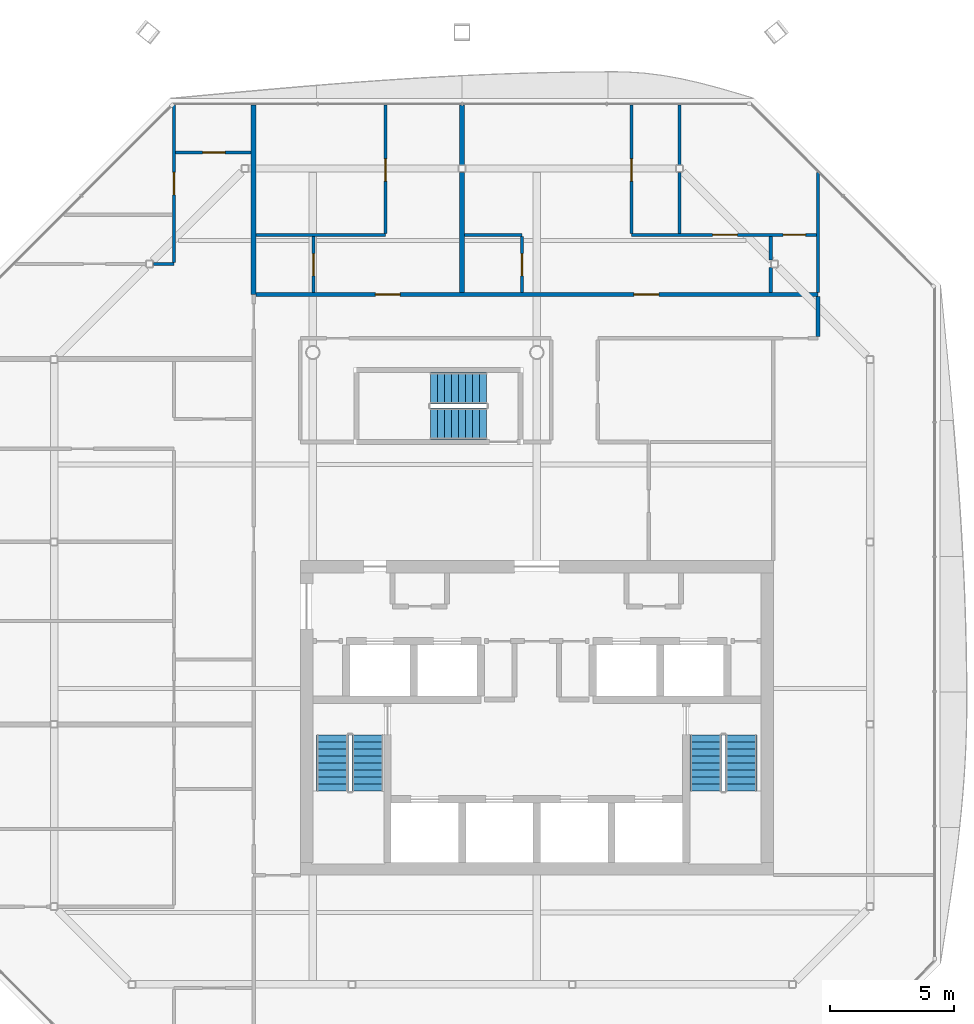
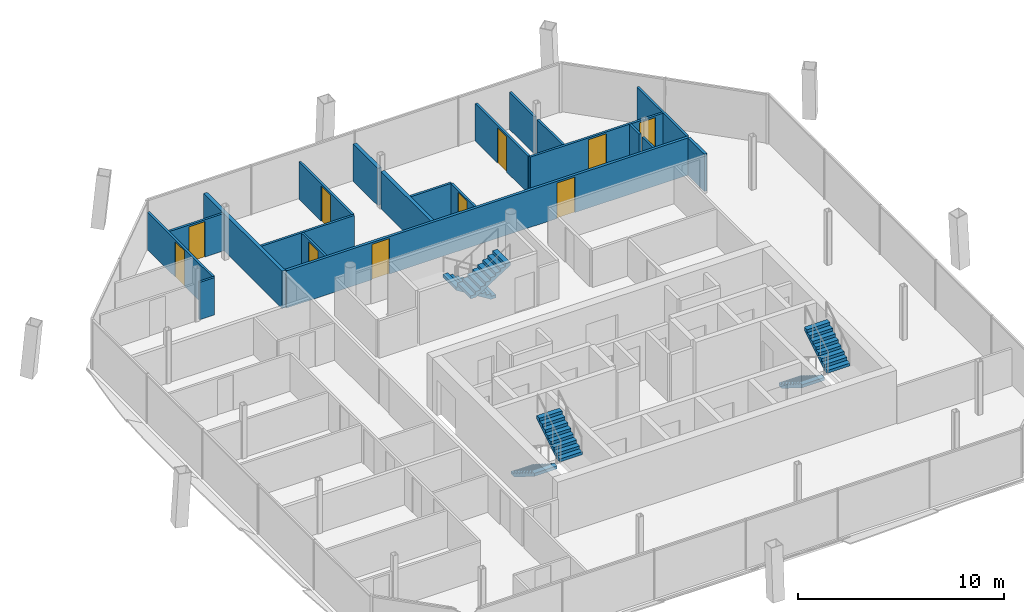
# One storey, part 14 of 18: 20 walls, 10 doors, 6 stair flights, 10 openings, 3 elements without a shape of their own.
"""IFC4 building model written with IfcOpenShell, lengths in metres."""

from ifc_helpers import new_model, si_unit, direction, frame, frame_2d, origin, place, context, subcontext, project, spatial, polyline, rectangle, outline, extrude, material, layer, layer_set, type_object, element, fill, aggregate, save


model = new_model("IFC4")

# Units and contexts
model_context = context("Model", 3, precision=1e-05, world=origin(), true_north=direction((0.0, 1.0)))
body_context = subcontext(model_context, "Body", "Model", "MODEL_VIEW")
ifc_project = project(units=[si_unit("LENGTHUNIT", "METRE"), si_unit("AREAUNIT", "SQUARE_METRE"), si_unit("VOLUMEUNIT", "CUBIC_METRE"), si_unit("PLANEANGLEUNIT", "RADIAN"), si_unit("MASSUNIT", "GRAM", prefix="KILO")], contexts=[model_context])

# Site, building, storey
site_placement = place(None, origin())
site = spatial("IfcSite", under=ifc_project, at=site_placement, CompositionType="ELEMENT")
building_placement = place(site_placement, origin())
building = spatial("IfcBuilding", under=site, at=building_placement, Name="Tskaro Facet Tower", CompositionType="ELEMENT")
storey_placement = place(building_placement, frame((0.0, 0.0, 220.35009765625)))
storey = spatial("IfcBuildingStorey", under=building, at=storey_placement, Name="L56", CompositionType="ELEMENT", Elevation=220.35009765625)

# Walls
ifc_material_1 = material(Name="Gypsum board on steel studs", Category="steel")
ifc_layer_1 = layer(ifc_material_1, 0.125, Name="Gypsum board on steel studs")
ifc_layer_set_1 = layer_set([ifc_layer_1], Name="Gypsum board on steel studs")
wall_type_1 = type_object("IfcWallType", Name="PART", PredefinedType="PARTITIONING", material=ifc_layer_set_1)
wall_1_placement = place(storey_placement, frame((-15.407958984375, 12.56005859375, 0.0), z_axis=(0.0, 0.0, 1.0), x_axis=(1.0, 0.0, 0.0)))
element("IfcWall", 1, at=wall_1_placement, inside=storey, type_object=wall_type_1, Name="Partition W040", PredefinedType="PARTITIONING", context=body_context, shape_type="SweptSolid", body=[
    extrude(rectangle(XDim=0.8330078125, YDim=0.125, at=frame_2d((0.41650390625, 0.0))), origin(), (0.0, 0.0, 1.0), 2.2099609375),
])
wall_2_placement = place(storey_placement, frame((-11.27490234375, 13.72509765625, 0.0), z_axis=(0.0, 0.0, 1.0), x_axis=(1.0, 0.0, 0.0)))
element("IfcWall", 2, at=wall_2_placement, inside=storey, type_object=wall_type_1, Name="Partition W041", PredefinedType="PARTITIONING", context=body_context, shape_type="SweptSolid", body=[
    extrude(rectangle(XDim=5.199951171875, YDim=0.125, at=frame_2d((2.60009765625, 0.0))), origin(), (0.0, 0.0, 1.0), 2.2099609375),
])
wall_3_placement = place(storey_placement, frame((-2.89990234375, 13.72509765625, 0.0), z_axis=(0.0, 0.0, 1.0), x_axis=(1.0, 0.0, 0.0)))
element("IfcWall", 3, at=wall_3_placement, inside=storey, type_object=wall_type_1, Name="Partition W042", PredefinedType="PARTITIONING", context=body_context, shape_type="SweptSolid", body=[
    extrude(rectangle(XDim=2.2998046875, YDim=0.125, at=frame_2d((1.14990234375, 0.0))), origin(), (0.0, 0.0, 1.0), 2.2099609375),
])

# Wall, openings, doors
wall_4_placement = place(storey_placement, frame((3.800048828125, 13.72509765625, 0.0), z_axis=(0.0, 0.0, 1.0), x_axis=(1.0, 0.0, 0.0)))
wall_4 = element("IfcWall", 4, at=wall_4_placement, inside=storey, type_object=wall_type_1, Name="Partition W043", PredefinedType="PARTITIONING", context=body_context, shape_type="SweptSolid", body=[
    extrude(rectangle(XDim=7.4375, YDim=0.125, at=frame_2d((3.71875, 0.0))), origin(), (0.0, 0.0, 1.0), 2.2099609375),
])
opening_1_placement = place(wall_4_placement, frame((3.262451171875, 0.0, 0.0)))
opening_1 = element("IfcOpeningElement", 5, at=opening_1_placement, cuts=wall_4, Name="Opening T16-D32", PredefinedType="OPENING", context=body_context, shape_type="SweptSolid", body=[
    extrude(rectangle(XDim=1.0, YDim=2.10009765625, at=frame_2d((0.5, 1.050048828125))), frame((0.0, 0.072509765625, 0.0), z_axis=(0.0, -1.0, 0.0), x_axis=(1.0, 0.0, 0.0)), (0.0, 0.0, 1.0), 0.14501953125),
])
opening_2_placement = place(wall_4_placement, frame((6.10009765625, 0.0, 0.0)))
opening_2 = element("IfcOpeningElement", 6, at=opening_2_placement, cuts=wall_4, Name="Opening T16-D33", PredefinedType="OPENING", context=body_context, shape_type="SweptSolid", body=[
    extrude(rectangle(XDim=0.89990234375, YDim=2.10009765625, at=frame_2d((0.449951171875, 1.050048828125))), frame((0.0, 0.072509765625, 0.0), z_axis=(0.0, -1.0, 0.0), x_axis=(1.0, 0.0, 0.0)), (0.0, 0.0, 1.0), 0.14501953125),
])
ifc_material_2 = material(Name="Timber", Category="wood")
door_type_1 = type_object("IfcDoorType", Name="D-ROOM", OperationType="NOTDEFINED", PredefinedType="DOOR", material=ifc_material_2)
door_1_placement = place(opening_2_placement, origin())
door_1 = element("IfcDoor", 7, at=door_1_placement, inside=storey, type_object=door_type_1, Name="Door T16-D33", OperationType="SINGLE_SWING_RIGHT", OverallHeight=2.10009765625, OverallWidth=0.89990234375, PredefinedType="DOOR", context=body_context, shape_type="SweptSolid", body=[
    extrude(rectangle(XDim=0.89990234375, YDim=2.10009765625, at=frame_2d((0.449951171875, 1.050048828125))), frame((0.0, 0.02490234375, 0.0), z_axis=(0.0, -1.0, 0.0), x_axis=(1.0, 0.0, 0.0)), (0.0, 0.0, 1.0), 0.050048828125),
])
fill(opening_2, door_1)
door_type_2 = type_object("IfcDoorType", Name="D-ROOM-WIDE", OperationType="NOTDEFINED", PredefinedType="DOOR", material=ifc_material_2)
door_2_placement = place(opening_1_placement, origin())
door_2 = element("IfcDoor", 8, at=door_2_placement, inside=storey, type_object=door_type_2, Name="Door T16-D32", OperationType="SINGLE_SWING_LEFT", OverallHeight=2.10009765625, OverallWidth=1.0, PredefinedType="DOOR", context=body_context, shape_type="SweptSolid", body=[
    extrude(rectangle(XDim=1.0, YDim=2.10009765625, at=frame_2d((0.5, 1.050048828125))), frame((0.0, 0.02490234375, 0.0), z_axis=(0.0, -1.0, 0.0), x_axis=(1.0, 0.0, 0.0)), (0.0, 0.0, 1.0), 0.050048828125),
])
fill(opening_1, door_2)

# Wall, opening, door
wall_5_placement = place(storey_placement, frame((-14.512451171875, 17.034912109375, 0.0), z_axis=(0.0, 0.0, 1.0), x_axis=(1.0, 0.0, 0.0)))
wall_5 = element("IfcWall", 9, at=wall_5_placement, inside=storey, type_object=wall_type_1, Name="Partition W045", PredefinedType="PARTITIONING", context=body_context, shape_type="SweptSolid", body=[
    extrude(rectangle(XDim=3.037353515625, YDim=0.125, at=frame_2d((1.5185546875, 0.0))), origin(), (0.0, 0.0, 1.0), 2.2099609375),
])
opening_3_placement = place(wall_5_placement, frame((1.08740234375, 0.0, 0.0)))
opening_3 = element("IfcOpeningElement", 10, at=opening_3_placement, cuts=wall_5, Name="Opening T16-D37", PredefinedType="OPENING", context=body_context, shape_type="SweptSolid", body=[
    extrude(rectangle(XDim=0.89990234375, YDim=2.10009765625, at=frame_2d((0.449951171875, 1.050048828125))), frame((0.0, 0.072509765625, 0.0), z_axis=(0.0, -1.0, 0.0), x_axis=(1.0, 0.0, 0.0)), (0.0, 0.0, 1.0), 0.14501953125),
])
door_3_placement = place(opening_3_placement, origin())
door_3 = element("IfcDoor", 11, at=door_3_placement, inside=storey, type_object=door_type_1, Name="Door T16-D37", OperationType="SINGLE_SWING_LEFT", OverallHeight=2.10009765625, OverallWidth=0.89990234375, PredefinedType="DOOR", context=body_context, shape_type="SweptSolid", body=[
    extrude(rectangle(XDim=0.89990234375, YDim=2.10009765625, at=frame_2d((0.449951171875, 1.050048828125))), frame((0.0, 0.02490234375, 0.0), z_axis=(0.0, -1.0, 0.0), x_axis=(1.0, 0.0, 0.0)), (0.0, 0.0, 1.0), 0.050048828125),
])
fill(opening_3, door_3)

wall_6_placement = place(storey_placement, frame((-14.574951171875, 12.62255859375, 0.0), z_axis=(0.0, 0.0, 1.0), x_axis=(0.0, 1.0, 0.0)))
wall_6 = element("IfcWall", 12, at=wall_6_placement, inside=storey, type_object=wall_type_1, Name="Partition W049", PredefinedType="PARTITIONING", context=body_context, shape_type="SweptSolid", body=[
    extrude(rectangle(XDim=6.3125, YDim=0.125, at=frame_2d((3.15625, 0.0))), origin(), (0.0, 0.0, 1.0), 2.2099609375),
])
opening_4_placement = place(wall_6_placement, frame((2.71240234375, 0.0, 0.0)))
opening_4 = element("IfcOpeningElement", 13, at=opening_4_placement, cuts=wall_6, Name="Opening T16-D34", PredefinedType="OPENING", context=body_context, shape_type="SweptSolid", body=[
    extrude(rectangle(XDim=0.89990234375, YDim=2.10009765625, at=frame_2d((0.449951171875, 1.050048828125))), frame((0.0, 0.072509765625, 0.0), z_axis=(0.0, -1.0, 0.0), x_axis=(1.0, 0.0, 0.0)), (0.0, 0.0, 1.0), 0.14501953125),
])
door_4_placement = place(opening_4_placement, origin())
door_4 = element("IfcDoor", 14, at=door_4_placement, inside=storey, type_object=door_type_1, Name="Door T16-D34", OperationType="SINGLE_SWING_LEFT", OverallHeight=2.10009765625, OverallWidth=0.89990234375, PredefinedType="DOOR", context=body_context, shape_type="SweptSolid", body=[
    extrude(rectangle(XDim=0.89990234375, YDim=2.10009765625, at=frame_2d((0.449951171875, 1.050048828125))), frame((0.0, 0.02490234375, 0.0), z_axis=(0.0, -1.0, 0.0), x_axis=(1.0, 0.0, 0.0)), (0.0, 0.0, 1.0), 0.050048828125),
])
fill(opening_4, door_4)

wall_7_placement = place(storey_placement, frame((-8.97509765625, 11.39990234375, 0.0), z_axis=(0.0, 0.0, 1.0), x_axis=(0.0, 1.0, 0.0)))
wall_7 = element("IfcWall", 15, at=wall_7_placement, inside=storey, type_object=wall_type_1, Name="Partition W054", PredefinedType="PARTITIONING", context=body_context, shape_type="SweptSolid", body=[
    extrude(rectangle(XDim=2.2626953125, YDim=0.125, at=frame_2d((1.13134765625, 0.0))), origin(), (0.0, 0.0, 1.0), 2.2099609375),
])
opening_5_placement = place(wall_7_placement, frame((0.675048828125, 0.0, 0.0)))
opening_5 = element("IfcOpeningElement", 16, at=opening_5_placement, cuts=wall_7, Name="Opening T16-D29", PredefinedType="OPENING", context=body_context, shape_type="SweptSolid", body=[
    extrude(rectangle(XDim=0.89990234375, YDim=2.10009765625, at=frame_2d((0.449951171875, 1.050048828125))), frame((0.0, 0.072509765625, 0.0), z_axis=(0.0, -1.0, 0.0), x_axis=(1.0, 0.0, 0.0)), (0.0, 0.0, 1.0), 0.14501953125),
])
door_5_placement = place(opening_5_placement, origin())
door_5 = element("IfcDoor", 17, at=door_5_placement, inside=storey, type_object=door_type_1, Name="Door T16-D29", OperationType="SINGLE_SWING_LEFT", OverallHeight=2.10009765625, OverallWidth=0.89990234375, PredefinedType="DOOR", context=body_context, shape_type="SweptSolid", body=[
    extrude(rectangle(XDim=0.89990234375, YDim=2.10009765625, at=frame_2d((0.449951171875, 1.050048828125))), frame((0.0, 0.02490234375, 0.0), z_axis=(0.0, -1.0, 0.0), x_axis=(1.0, 0.0, 0.0)), (0.0, 0.0, 1.0), 0.050048828125),
])
fill(opening_5, door_5)

wall_8_placement = place(storey_placement, frame((-6.074951171875, 13.78759765625, 0.0), z_axis=(0.0, 0.0, 1.0), x_axis=(0.0, 1.0, 0.0)))
wall_8 = element("IfcWall", 18, at=wall_8_placement, inside=storey, type_object=wall_type_1, Name="Partition W057", PredefinedType="PARTITIONING", context=body_context, shape_type="SweptSolid", body=[
    extrude(rectangle(XDim=5.1474609375, YDim=0.125, at=frame_2d((2.57373046875, 0.0))), origin(), (0.0, 0.0, 1.0), 2.2099609375),
])
opening_6_placement = place(wall_8_placement, frame((2.092529296875, 0.0, 0.0)))
opening_6 = element("IfcOpeningElement", 19, at=opening_6_placement, cuts=wall_8, Name="Opening T16-D35", PredefinedType="OPENING", context=body_context, shape_type="SweptSolid", body=[
    extrude(rectangle(XDim=0.89990234375, YDim=2.10009765625, at=frame_2d((0.449951171875, 1.050048828125))), frame((0.0, 0.072509765625, 0.0), z_axis=(0.0, -1.0, 0.0), x_axis=(1.0, 0.0, 0.0)), (0.0, 0.0, 1.0), 0.14501953125),
])
door_6_placement = place(opening_6_placement, origin())
door_6 = element("IfcDoor", 20, at=door_6_placement, inside=storey, type_object=door_type_1, Name="Door T16-D35", OperationType="SINGLE_SWING_LEFT", OverallHeight=2.10009765625, OverallWidth=0.89990234375, PredefinedType="DOOR", context=body_context, shape_type="SweptSolid", body=[
    extrude(rectangle(XDim=0.89990234375, YDim=2.10009765625, at=frame_2d((0.449951171875, 1.050048828125))), frame((0.0, 0.02490234375, 0.0), z_axis=(0.0, -1.0, 0.0), x_axis=(1.0, 0.0, 0.0)), (0.0, 0.0, 1.0), 0.050048828125),
])
fill(opening_6, door_6)

wall_9_placement = place(storey_placement, frame((-0.60009765625, 11.39990234375, 0.0), z_axis=(0.0, 0.0, 1.0), x_axis=(0.0, 1.0, 0.0)))
wall_9 = element("IfcWall", 21, at=wall_9_placement, inside=storey, type_object=wall_type_1, Name="Partition W068", PredefinedType="PARTITIONING", context=body_context, shape_type="SweptSolid", body=[
    extrude(rectangle(XDim=2.2626953125, YDim=0.125, at=frame_2d((1.13134765625, 0.0))), origin(), (0.0, 0.0, 1.0), 2.2099609375),
])
opening_7_placement = place(wall_9_placement, frame((0.675048828125, 0.0, 0.0)))
opening_7 = element("IfcOpeningElement", 22, at=opening_7_placement, cuts=wall_9, Name="Opening T16-D30", PredefinedType="OPENING", context=body_context, shape_type="SweptSolid", body=[
    extrude(rectangle(XDim=0.89990234375, YDim=2.10009765625, at=frame_2d((0.449951171875, 1.050048828125))), frame((0.0, 0.072509765625, 0.0), z_axis=(0.0, -1.0, 0.0), x_axis=(1.0, 0.0, 0.0)), (0.0, 0.0, 1.0), 0.14501953125),
])
door_7_placement = place(opening_7_placement, origin())
door_7 = element("IfcDoor", 23, at=door_7_placement, inside=storey, type_object=door_type_1, Name="Door T16-D30", OperationType="SINGLE_SWING_LEFT", OverallHeight=2.10009765625, OverallWidth=0.89990234375, PredefinedType="DOOR", context=body_context, shape_type="SweptSolid", body=[
    extrude(rectangle(XDim=0.89990234375, YDim=2.10009765625, at=frame_2d((0.449951171875, 1.050048828125))), frame((0.0, 0.02490234375, 0.0), z_axis=(0.0, -1.0, 0.0), x_axis=(1.0, 0.0, 0.0)), (0.0, 0.0, 1.0), 0.050048828125),
])
fill(opening_7, door_7)

wall_10_placement = place(storey_placement, frame((3.800048828125, 18.93505859375, 0.0), z_axis=(0.0, 0.0, 1.0), x_axis=(0.0, -1.0, 0.0)))
wall_10 = element("IfcWall", 24, at=wall_10_placement, inside=storey, type_object=wall_type_1, Name="Partition W076", PredefinedType="PARTITIONING", context=body_context, shape_type="SweptSolid", body=[
    extrude(rectangle(XDim=5.1474609375, YDim=0.125, at=frame_2d((2.57373046875, 0.0))), origin(), (0.0, 0.0, 1.0), 2.2099609375),
])
opening_8_placement = place(wall_10_placement, frame((2.155029296875, 0.0, 0.0)))
opening_8 = element("IfcOpeningElement", 25, at=opening_8_placement, cuts=wall_10, Name="Opening T16-D36", PredefinedType="OPENING", context=body_context, shape_type="SweptSolid", body=[
    extrude(rectangle(XDim=0.89990234375, YDim=2.10009765625, at=frame_2d((0.449951171875, 1.050048828125))), frame((0.0, 0.072509765625, 0.0), z_axis=(0.0, -1.0, 0.0), x_axis=(1.0, 0.0, 0.0)), (0.0, 0.0, 1.0), 0.14501953125),
])
door_8_placement = place(opening_8_placement, origin())
door_8 = element("IfcDoor", 26, at=door_8_placement, inside=storey, type_object=door_type_1, Name="Door T16-D36", OperationType="SINGLE_SWING_RIGHT", OverallHeight=2.10009765625, OverallWidth=0.89990234375, PredefinedType="DOOR", context=body_context, shape_type="SweptSolid", body=[
    extrude(rectangle(XDim=0.89990234375, YDim=2.10009765625, at=frame_2d((0.449951171875, 1.050048828125))), frame((0.0, 0.02490234375, 0.0), z_axis=(0.0, -1.0, 0.0), x_axis=(1.0, 0.0, 0.0)), (0.0, 0.0, 1.0), 0.050048828125),
])
fill(opening_8, door_8)

# Walls
wall_11_placement = place(storey_placement, frame((5.72509765625, 13.78759765625, 0.0), z_axis=(0.0, 0.0, 1.0), x_axis=(0.0, 1.0, 0.0)))
element("IfcWall", 27, at=wall_11_placement, inside=storey, type_object=wall_type_1, Name="Partition W079", PredefinedType="PARTITIONING", context=body_context, shape_type="SweptSolid", body=[
    extrude(rectangle(XDim=2.453369140625, YDim=0.125, at=frame_2d((1.2265625, 0.0))), origin(), (0.0, 0.0, 1.0), 2.2099609375),
])
wall_12_placement = place(storey_placement, frame((5.72509765625, 16.541015625, 0.0), z_axis=(0.0, 0.0, 1.0), x_axis=(0.0, 1.0, 0.0)))
element("IfcWall", 28, at=wall_12_placement, inside=storey, type_object=wall_type_1, Name="Partition W080", PredefinedType="PARTITIONING", context=body_context, shape_type="SweptSolid", body=[
    extrude(rectangle(XDim=2.39404296875, YDim=0.125, at=frame_2d((1.197021484375, 0.0))), origin(), (0.0, 0.0, 1.0), 2.2099609375),
])
wall_13_placement = place(storey_placement, frame((9.39990234375, 11.39990234375, 0.0), z_axis=(0.0, 0.0, 1.0), x_axis=(0.0, 1.0, 0.0)))
element("IfcWall", 29, at=wall_13_placement, inside=storey, type_object=wall_type_1, Name="Partition W084", PredefinedType="PARTITIONING", context=body_context, shape_type="SweptSolid", body=[
    extrude(rectangle(XDim=1.008056640625, YDim=0.125, at=frame_2d((0.50390625, 0.0))), origin(), (0.0, 0.0, 1.0), 2.2099609375),
])
wall_14_placement = place(storey_placement, frame((9.39990234375, 12.7080078125, 0.0), z_axis=(0.0, 0.0, 1.0), x_axis=(0.0, 1.0, 0.0)))
element("IfcWall", 30, at=wall_14_placement, inside=storey, type_object=wall_type_1, Name="Partition W085", PredefinedType="PARTITIONING", context=body_context, shape_type="SweptSolid", body=[
    extrude(rectangle(XDim=0.95458984375, YDim=0.125, at=frame_2d((0.477294921875, 0.0))), origin(), (0.0, 0.0, 1.0), 2.2099609375),
])
wall_15_placement = place(storey_placement, frame((11.300048828125, 11.39990234375, 0.0), z_axis=(0.0, 0.0, 1.0), x_axis=(0.0, 1.0, 0.0)))
element("IfcWall", 31, at=wall_15_placement, inside=storey, type_object=wall_type_1, Name="Partition W088", PredefinedType="PARTITIONING", context=body_context, shape_type="SweptSolid", body=[
    extrude(rectangle(XDim=4.82421875, YDim=0.125, at=frame_2d((2.412109375, 0.0))), origin(), (0.0, 0.0, 1.0), 2.2099609375),
])

# Wall, openings, doors
ifc_layer_2 = layer(ifc_material_1, 0.14990234375, Name="Gypsum board on steel studs")
ifc_layer_set_2 = layer_set([ifc_layer_2], Name="Gypsum board on steel studs")
wall_type_2 = type_object("IfcWallType", Name="PART-CORR", PredefinedType="PARTITIONING", material=ifc_layer_set_2)
wall_16_placement = place(storey_placement, frame((-11.27490234375, 11.324951171875, 0.0), z_axis=(0.0, 0.0, 1.0), x_axis=(1.0, 0.0, 0.0)))
wall_16 = element("IfcWall", 32, at=wall_16_placement, inside=storey, type_object=wall_type_2, Name="Corridor wall W038", PredefinedType="PARTITIONING", context=body_context, shape_type="SweptSolid", body=[
    extrude(rectangle(XDim=22.574951171875, YDim=0.14990234375, at=frame_2d((11.28759765625, 0.0))), origin(), (0.0, 0.0, 1.0), 2.2099609375),
])
opening_9_placement = place(wall_16_placement, frame((4.78759765625, 0.0, 0.0)))
opening_9 = element("IfcOpeningElement", 33, at=opening_9_placement, cuts=wall_16, Name="Opening T16-D27", PredefinedType="OPENING", context=body_context, shape_type="SweptSolid", body=[
    extrude(rectangle(XDim=1.0, YDim=2.10009765625, at=frame_2d((0.5, 1.050048828125))), frame((0.0, 0.0849609375, 0.0), z_axis=(0.0, -1.0, 0.0), x_axis=(1.0, 0.0, 0.0)), (0.0, 0.0, 1.0), 0.169921875),
])
opening_10_placement = place(wall_16_placement, frame((15.175048828125, 0.0, 0.0)))
opening_10 = element("IfcOpeningElement", 34, at=opening_10_placement, cuts=wall_16, Name="Opening T16-D28", PredefinedType="OPENING", context=body_context, shape_type="SweptSolid", body=[
    extrude(rectangle(XDim=1.0, YDim=2.10009765625, at=frame_2d((0.5, 1.050048828125))), frame((0.0, 0.0849609375, 0.0), z_axis=(0.0, -1.0, 0.0), x_axis=(1.0, 0.0, 0.0)), (0.0, 0.0, 1.0), 0.169921875),
])
door_type_3 = type_object("IfcDoorType", Name="D-FLAT-ENTRY", OperationType="NOTDEFINED", PredefinedType="DOOR", material=ifc_material_2)
door_9_placement = place(opening_9_placement, origin())
door_9 = element("IfcDoor", 35, at=door_9_placement, inside=storey, type_object=door_type_3, Name="Door T16-D27", OperationType="SINGLE_SWING_LEFT", OverallHeight=2.10009765625, OverallWidth=1.0, PredefinedType="DOOR", context=body_context, shape_type="SweptSolid", body=[
    extrude(rectangle(XDim=1.0, YDim=2.10009765625, at=frame_2d((0.5, 1.050048828125))), frame((0.0, 0.02490234375, 0.0), z_axis=(0.0, -1.0, 0.0), x_axis=(1.0, 0.0, 0.0)), (0.0, 0.0, 1.0), 0.050048828125),
])
fill(opening_9, door_9)
door_10_placement = place(opening_10_placement, origin())
door_10 = element("IfcDoor", 36, at=door_10_placement, inside=storey, type_object=door_type_3, Name="Door T16-D28", OperationType="SINGLE_SWING_LEFT", OverallHeight=2.10009765625, OverallWidth=1.0, PredefinedType="DOOR", context=body_context, shape_type="SweptSolid", body=[
    extrude(rectangle(XDim=1.0, YDim=2.10009765625, at=frame_2d((0.5, 1.050048828125))), frame((0.0, 0.02490234375, 0.0), z_axis=(0.0, -1.0, 0.0), x_axis=(1.0, 0.0, 0.0)), (0.0, 0.0, 1.0), 0.050048828125),
])
fill(opening_10, door_10)

# Walls
wall_17_placement = place(storey_placement, frame((11.300048828125, 9.64990234375, 0.0), z_axis=(0.0, 0.0, 1.0), x_axis=(0.0, 1.0, 0.0)))
element("IfcWall", 37, at=wall_17_placement, inside=storey, type_object=wall_type_2, Name="Corridor wall W087", PredefinedType="PARTITIONING", context=body_context, shape_type="SweptSolid", body=[
    extrude(rectangle(XDim=1.60009765625, YDim=0.14990234375, at=frame_2d((0.800048828125, 0.0))), origin(), (0.0, 0.0, 1.0), 2.2099609375),
])
ifc_layer_3 = layer(ifc_material_1, 0.199951171875, Name="Gypsum board on steel studs")
ifc_layer_set_3 = layer_set([ifc_layer_3], Name="Gypsum board on steel studs")
wall_type_3 = type_object("IfcWallType", Name="PART-DEMISING", PredefinedType="PARTITIONING", material=ifc_layer_set_3)
wall_18_placement = place(storey_placement, frame((-11.375, 11.324951171875, 0.0), z_axis=(0.0, 0.0, 1.0), x_axis=(0.0, 1.0, 0.0)))
element("IfcWall", 38, at=wall_18_placement, inside=storey, type_object=wall_type_3, Name="Guest room wall W052", PredefinedType="PARTITIONING", context=body_context, shape_type="SweptSolid", body=[
    extrude(rectangle(XDim=7.610107421875, YDim=0.199951171875, at=frame_2d((3.80517578125, 0.0))), origin(), (0.0, 0.0, 1.0), 2.2099609375),
])
wall_19_placement = place(storey_placement, frame((-3.0, 11.39990234375, 0.0), z_axis=(0.0, 0.0, 1.0), x_axis=(0.0, 1.0, 0.0)))
element("IfcWall", 39, at=wall_19_placement, inside=storey, type_object=wall_type_3, Name="Guest room wall W063", PredefinedType="PARTITIONING", context=body_context, shape_type="SweptSolid", body=[
    extrude(rectangle(XDim=4.841064453125, YDim=0.199951171875, at=frame_2d((2.42041015625, 0.0))), origin(), (0.0, 0.0, 1.0), 2.2099609375),
])
wall_20_placement = place(storey_placement, frame((-3.0, 16.541015625, 0.0), z_axis=(0.0, 0.0, 1.0), x_axis=(0.0, 1.0, 0.0)))
element("IfcWall", 40, at=wall_20_placement, inside=storey, type_object=wall_type_3, Name="Guest room wall W064", PredefinedType="PARTITIONING", context=body_context, shape_type="SweptSolid", body=[
    extrude(rectangle(XDim=2.39404296875, YDim=0.199951171875, at=frame_2d((1.197021484375, 0.0))), origin(), (0.0, 0.0, 1.0), 2.2099609375),
])

# Stair, stair flights
ifc_material_3 = material(Name="Concrete C40/50", Category="concrete")
stair_type = type_object("IfcStairType", Name="ST-TWR", PredefinedType="HALF_TURN_STAIR", material=ifc_material_3)
stair_1_placement = place(storey_placement, origin())
stair_1 = element("IfcStair", 41, at=stair_1_placement, inside=storey, type_object=stair_type, Name="L56 Exit stair 1", PredefinedType="HALF_TURN_STAIR")
stair_flight_type = type_object("IfcStairFlightType", Name="SFL-RC", PredefinedType="STRAIGHT", material=ifc_material_3)
stair_flight_1_placement = place(storey_placement, frame((-8.21240234375, -6.375, 0.0), z_axis=(0.0, 0.0, 1.0), x_axis=(0.0, -1.0, 0.0)))
stair_flight_1 = element("IfcStairFlight", 42, at=stair_flight_1_placement, type_object=stair_flight_type, Name="ST-1 flight 1", NumberOfRisers=9, NumberOfTreads=8, PredefinedType="STRAIGHT", RiserHeight=0.175, TreadLength=0.28, context=body_context, shape_type="SweptSolid", body=[
    extrude(outline(polyline([(0.0, 0.0), (0.0, 0.175048828125), (0.280029296875, 0.175048828125), (0.280029296875, 0.35009765625), (0.56005859375, 0.35009765625), (0.56005859375, 0.52490234375), (0.840087890625, 0.52490234375), (0.840087890625, 0.699951171875), (1.1201171875, 0.699951171875), (1.1201171875, 0.875), (1.39990234375, 0.875), (1.39990234375, 1.050048828125), (1.679931640625, 1.050048828125), (1.679931640625, 1.22509765625), (1.9599609375, 1.22509765625), (1.9599609375, 1.39990234375), (2.239990234375, 1.39990234375), (2.239990234375, 1.574951171875), (2.239990234375, 1.22314453125), (0.28271484375, 0.0), (0.0, 0.0)])), frame((0.0, 0.637451171875, 0.0), z_axis=(0.0, -1.0, 0.0), x_axis=(1.0, 0.0, 0.0)), (0.0, 0.0, 1.0), 1.27490234375),
])
stair_flight_2_placement = place(storey_placement, frame((-6.78759765625, -8.614990234375, 1.574951171875), z_axis=(0.0, 0.0, 1.0), x_axis=(0.0, 1.0, 0.0)))
stair_flight_2 = element("IfcStairFlight", 43, at=stair_flight_2_placement, type_object=stair_flight_type, Name="ST-1 flight 2", NumberOfRisers=9, NumberOfTreads=8, PredefinedType="STRAIGHT", RiserHeight=0.175, TreadLength=0.28, context=body_context, shape_type="SweptSolid", body=[
    extrude(outline(polyline([(0.0, 0.0), (0.0, 0.175048828125), (0.280029296875, 0.175048828125), (0.280029296875, 0.35009765625), (0.56005859375, 0.35009765625), (0.56005859375, 0.52490234375), (0.840087890625, 0.52490234375), (0.840087890625, 0.699951171875), (1.1201171875, 0.699951171875), (1.1201171875, 0.875), (1.39990234375, 0.875), (1.39990234375, 1.050048828125), (1.679931640625, 1.050048828125), (1.679931640625, 1.22509765625), (1.9599609375, 1.22509765625), (1.9599609375, 1.39990234375), (2.239990234375, 1.39990234375), (2.239990234375, 1.574951171875), (2.239990234375, 1.22314453125), (0.28271484375, 0.0), (0.0, 0.0)])), frame((0.0, 0.637451171875, 0.0), z_axis=(0.0, -1.0, 0.0), x_axis=(1.0, 0.0, 0.0)), (0.0, 0.0, 1.0), 1.27490234375),
])
aggregate(stair_1, [stair_flight_1, stair_flight_2])

stair_2_placement = place(storey_placement, origin())
stair_2 = element("IfcStair", 44, at=stair_2_placement, inside=storey, type_object=stair_type, Name="L56 Exit stair 2", PredefinedType="HALF_TURN_STAIR")
stair_flight_3_placement = place(storey_placement, frame((6.78759765625, -6.375, 0.0), z_axis=(0.0, 0.0, 1.0), x_axis=(0.0, -1.0, 0.0)))
stair_flight_3 = element("IfcStairFlight", 45, at=stair_flight_3_placement, type_object=stair_flight_type, Name="ST-2 flight 1", NumberOfRisers=9, NumberOfTreads=8, PredefinedType="STRAIGHT", RiserHeight=0.175, TreadLength=0.28, context=body_context, shape_type="SweptSolid", body=[
    extrude(outline(polyline([(0.0, 0.0), (0.0, 0.175048828125), (0.280029296875, 0.175048828125), (0.280029296875, 0.35009765625), (0.56005859375, 0.35009765625), (0.56005859375, 0.52490234375), (0.840087890625, 0.52490234375), (0.840087890625, 0.699951171875), (1.1201171875, 0.699951171875), (1.1201171875, 0.875), (1.39990234375, 0.875), (1.39990234375, 1.050048828125), (1.679931640625, 1.050048828125), (1.679931640625, 1.22509765625), (1.9599609375, 1.22509765625), (1.9599609375, 1.39990234375), (2.239990234375, 1.39990234375), (2.239990234375, 1.574951171875), (2.239990234375, 1.22314453125), (0.28271484375, 0.0), (0.0, 0.0)])), frame((0.0, 0.637451171875, 0.0), z_axis=(0.0, -1.0, 0.0), x_axis=(1.0, 0.0, 0.0)), (0.0, 0.0, 1.0), 1.27490234375),
])
stair_flight_4_placement = place(storey_placement, frame((8.21240234375, -8.614990234375, 1.574951171875), z_axis=(0.0, 0.0, 1.0), x_axis=(0.0, 1.0, 0.0)))
stair_flight_4 = element("IfcStairFlight", 46, at=stair_flight_4_placement, type_object=stair_flight_type, Name="ST-2 flight 2", NumberOfRisers=9, NumberOfTreads=8, PredefinedType="STRAIGHT", RiserHeight=0.175, TreadLength=0.28, context=body_context, shape_type="SweptSolid", body=[
    extrude(outline(polyline([(0.0, 0.0), (0.0, 0.175048828125), (0.280029296875, 0.175048828125), (0.280029296875, 0.35009765625), (0.56005859375, 0.35009765625), (0.56005859375, 0.52490234375), (0.840087890625, 0.52490234375), (0.840087890625, 0.699951171875), (1.1201171875, 0.699951171875), (1.1201171875, 0.875), (1.39990234375, 0.875), (1.39990234375, 1.050048828125), (1.679931640625, 1.050048828125), (1.679931640625, 1.22509765625), (1.9599609375, 1.22509765625), (1.9599609375, 1.39990234375), (2.239990234375, 1.39990234375), (2.239990234375, 1.574951171875), (2.239990234375, 1.22314453125), (0.28271484375, 0.0), (0.0, 0.0)])), frame((0.0, 0.637451171875, 0.0), z_axis=(0.0, -1.0, 0.0), x_axis=(1.0, 0.0, 0.0)), (0.0, 0.0, 1.0), 1.27490234375),
])
aggregate(stair_2, [stair_flight_3, stair_flight_4])

stair_3_placement = place(storey_placement, origin())
stair_3 = element("IfcStair", 47, at=stair_3_placement, inside=storey, type_object=stair_type, Name="L56 Exit stair 3", PredefinedType="HALF_TURN_STAIR")
stair_flight_5_placement = place(storey_placement, frame((-2.02490234375, 7.5625, 0.0), z_axis=(0.0, 0.0, 1.0), x_axis=(-1.0, 0.0, 0.0)))
stair_flight_5 = element("IfcStairFlight", 48, at=stair_flight_5_placement, type_object=stair_flight_type, Name="ST-3 flight 1", NumberOfRisers=9, NumberOfTreads=8, PredefinedType="STRAIGHT", RiserHeight=0.175, TreadLength=0.28, context=body_context, shape_type="SweptSolid", body=[
    extrude(outline(polyline([(0.0, 0.0), (0.0, 0.175048828125), (0.280029296875, 0.175048828125), (0.280029296875, 0.35009765625), (0.56005859375, 0.35009765625), (0.56005859375, 0.52490234375), (0.840087890625, 0.52490234375), (0.840087890625, 0.699951171875), (1.1201171875, 0.699951171875), (1.1201171875, 0.875), (1.39990234375, 0.875), (1.39990234375, 1.050048828125), (1.679931640625, 1.050048828125), (1.679931640625, 1.22509765625), (1.9599609375, 1.22509765625), (1.9599609375, 1.39990234375), (2.239990234375, 1.39990234375), (2.239990234375, 1.574951171875), (2.239990234375, 1.22314453125), (0.28271484375, 0.0), (0.0, 0.0)])), frame((0.0, 0.637451171875, 0.0), z_axis=(0.0, -1.0, 0.0), x_axis=(1.0, 0.0, 0.0)), (0.0, 0.0, 1.0), 1.27490234375),
])
stair_flight_6_placement = place(storey_placement, frame((-4.264892578125, 6.137451171875, 1.574951171875), z_axis=(0.0, 0.0, 1.0), x_axis=(1.0, 0.0, 0.0)))
stair_flight_6 = element("IfcStairFlight", 49, at=stair_flight_6_placement, type_object=stair_flight_type, Name="ST-3 flight 2", NumberOfRisers=9, NumberOfTreads=8, PredefinedType="STRAIGHT", RiserHeight=0.175, TreadLength=0.28, context=body_context, shape_type="SweptSolid", body=[
    extrude(outline(polyline([(0.0, 0.0), (0.0, 0.175048828125), (0.280029296875, 0.175048828125), (0.280029296875, 0.35009765625), (0.56005859375, 0.35009765625), (0.56005859375, 0.52490234375), (0.840087890625, 0.52490234375), (0.840087890625, 0.699951171875), (1.1201171875, 0.699951171875), (1.1201171875, 0.875), (1.39990234375, 0.875), (1.39990234375, 1.050048828125), (1.679931640625, 1.050048828125), (1.679931640625, 1.22509765625), (1.9599609375, 1.22509765625), (1.9599609375, 1.39990234375), (2.239990234375, 1.39990234375), (2.239990234375, 1.574951171875), (2.239990234375, 1.22314453125), (0.28271484375, 0.0), (0.0, 0.0)])), frame((0.0, 0.637451171875, 0.0), z_axis=(0.0, -1.0, 0.0), x_axis=(1.0, 0.0, 0.0)), (0.0, 0.0, 1.0), 1.27490234375),
])
aggregate(stair_3, [stair_flight_5, stair_flight_6])

save(model, "model.ifc")
